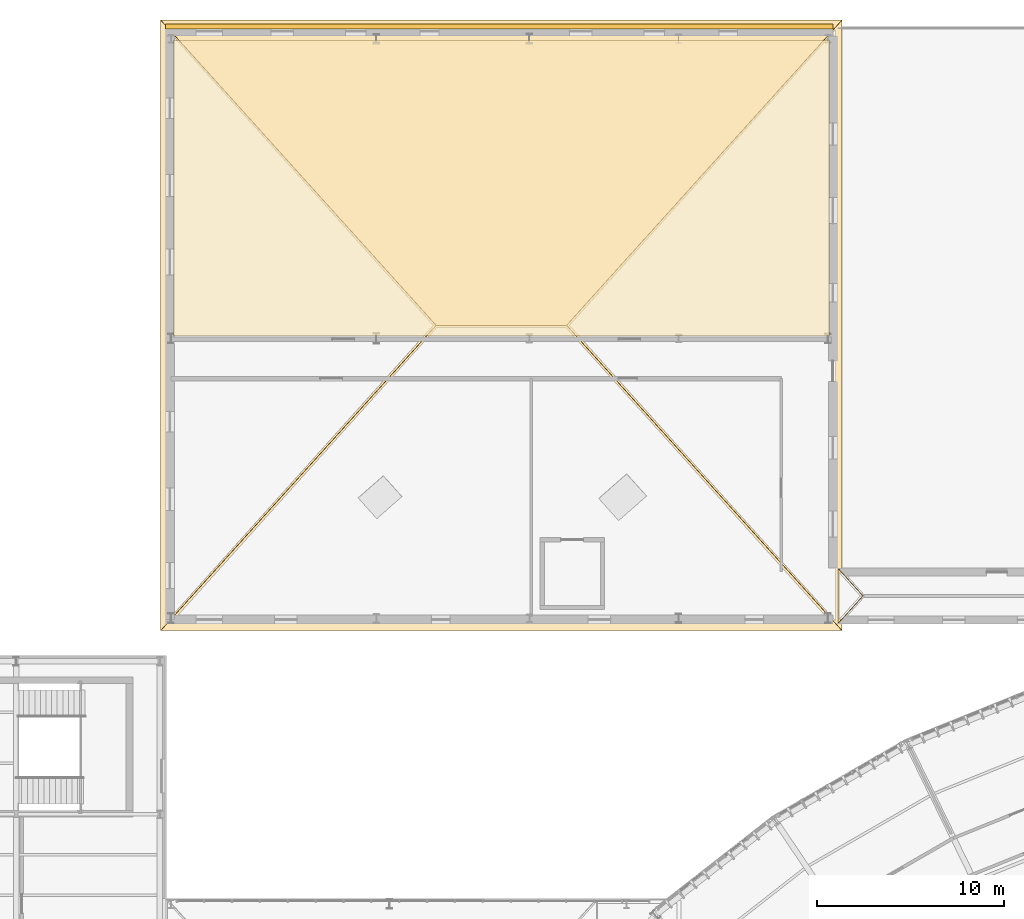
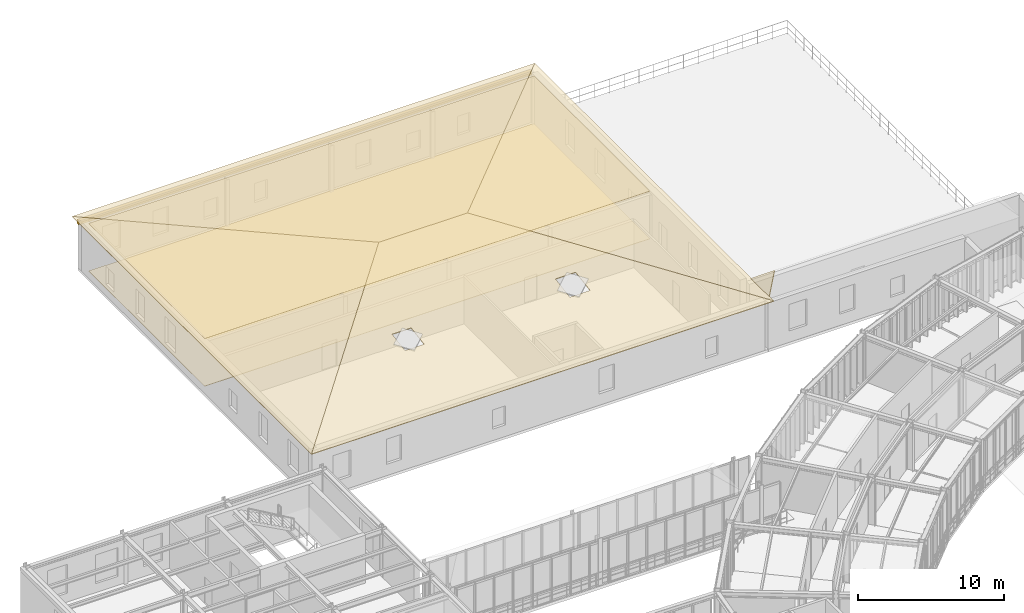
# One storey, part 55 of 57: 8 coverings, 2 openings.
"""IFC4 building model written with IfcOpenShell, lengths in metres."""

import ifcopenshell
import ifcopenshell.guid

model = None  # the IFC model being written
_history = None  # IfcOwnerHistory: only IFC2X3 demands one
_inside = {}  # id of a spatial element -> (the spatial element, [elements in it])
_under = {}  # id of a project, library or spatial element -> (it, [spatial elements below it])
_declared = {}  # id of a project -> (the project, [libraries it declares])
_typed = {}  # id of a type object -> (the type object, [elements of that type])
_made_of = {}  # id of a material, layer set ... -> (it, [elements and type objects made of it])


def new_model(schema):
    """Start an empty IFC model of exactly this schema.

    Asked for "IFC4X3", IfcOpenShell would pick the latest addendum, in which some entities
    have other attributes; the version numbers below select the first issue.
    IFC2X3 requires an IfcOwnerHistory on every rooted entity: one is made here for all.
    """
    global model, _history
    if schema == "IFC4X3":
        model = ifcopenshell.file(schema_version=(4, 3, 0, 0))
    else:
        model = ifcopenshell.file(schema=schema)
    _inside.clear()
    _under.clear()
    _declared.clear()
    _typed.clear()
    _made_of.clear()
    _history = None
    if model.schema == "IFC2X3":
        org = make("IfcOrganization", Name="unknown")
        user = make(
            "IfcPersonAndOrganization",
            ThePerson=make("IfcPerson", FamilyName="unknown"),
            TheOrganization=org,
        )
        app = make(
            "IfcApplication",
            ApplicationDeveloper=org,
            Version="unknown",
            ApplicationFullName="unknown",
            ApplicationIdentifier="unknown",
        )
        _history = make(
            "IfcOwnerHistory",
            OwningUser=user,
            OwningApplication=app,
            ChangeAction="ADDED",
            CreationDate=0,
        )
    return model


def make(cls, **values):
    """One entity of the class cls with the attributes given. An attribute that is None is left unset."""
    return model.create_entity(
        cls, **{name: value for name, value in values.items() if value is not None}
    )


def rooted(cls, **values):
    """An entity with a GlobalId (a new one), such as an element, a storey or a relation."""
    return make(cls, GlobalId=ifcopenshell.guid.new(), OwnerHistory=_history, **values)


def si_unit(unit_type, name, prefix=None):
    """IfcSIUnit, for example si_unit("LENGTHUNIT", "METRE", prefix="MILLI")."""
    return make("IfcSIUnit", UnitType=unit_type, Prefix=prefix, Name=name)


def assignment(units):
    """IfcUnitAssignment: the units of a project."""
    return None if units is None else make("IfcUnitAssignment", Units=units)


def point(xyz):
    """IfcCartesianPoint."""
    return None if xyz is None else make("IfcCartesianPoint", Coordinates=xyz)


def direction(xyz):
    """IfcDirection."""
    return None if xyz is None else make("IfcDirection", DirectionRatios=xyz)


def frame(location, z_axis=None, x_axis=None):
    """IfcAxis2Placement3D, a coordinate frame: its origin and axes. An axis left out is left unset."""
    return make(
        "IfcAxis2Placement3D",
        Location=point(location),
        Axis=direction(z_axis),
        RefDirection=direction(x_axis),
    )


def frame_2d(location, x_axis=None):
    """IfcAxis2Placement2D, a coordinate frame in the plane: its origin and x axis."""
    return make(
        "IfcAxis2Placement2D", Location=point(location), RefDirection=direction(x_axis)
    )


def origin():
    """The frame at (0, 0, 0) with its axes left unset."""
    return frame((0.0, 0.0, 0.0))


def origin_2d():
    """The frame at (0, 0) in the plane with its x axis left unset."""
    return frame_2d((0.0, 0.0))


def place(relative_to, where):
    """IfcLocalPlacement: puts the frame where relative to a parent placement (None: the world)."""
    return make(
        "IfcLocalPlacement", PlacementRelTo=relative_to, RelativePlacement=where
    )


def context(
    kind, dimensions, precision=None, world=None, true_north=None, identifier=None
):
    """IfcGeometricRepresentationContext, for example the 3D "Model" context."""
    return make(
        "IfcGeometricRepresentationContext",
        ContextIdentifier=identifier,
        ContextType=kind,
        CoordinateSpaceDimension=dimensions,
        Precision=precision,
        WorldCoordinateSystem=world,
        TrueNorth=true_north,
    )


def subcontext(parent, identifier, kind, view, scale=None):
    """IfcGeometricRepresentationSubContext, for example "Body" below "Model"."""
    return make(
        "IfcGeometricRepresentationSubContext",
        ContextIdentifier=identifier,
        ContextType=kind,
        ParentContext=parent,
        TargetScale=scale,
        TargetView=view,
    )


def project(units=None, contexts=None):
    """IfcProject with its units and contexts."""
    return rooted(
        "IfcProject",
        Name="project",
        RepresentationContexts=contexts,
        UnitsInContext=assignment(units),
    )


def spatial(cls, under=None, at=None, **own):
    """A site, building, storey or space (cls), placed at a placement, below another one or the project."""
    s = rooted(cls, ObjectPlacement=at, **own)
    if under is not None:
        _under.setdefault(under.id(), (under, []))[1].append(s)
    return s


def polyline(points):
    """IfcPolyline through the points."""
    return make("IfcPolyline", Points=[point(p) for p in points])


def profile(cls, at=None, kind="AREA", **sizes):
    """A parametric profile (cls). Its sizes go by their IFC names, for example OverallWidth=200.0."""
    return make(cls, ProfileType=kind, Position=at, **sizes)


def rectangle(**sizes):
    """IfcRectangleProfileDef."""
    return profile("IfcRectangleProfileDef", **sizes)


def outline(outer, holes=None, kind="AREA"):
    """IfcArbitraryClosedProfileDef: a profile drawn as a closed curve; with holes, ...WithVoids."""
    if holes is None:
        return make("IfcArbitraryClosedProfileDef", ProfileType=kind, OuterCurve=outer)
    return make(
        "IfcArbitraryProfileDefWithVoids",
        ProfileType=kind,
        OuterCurve=outer,
        InnerCurves=holes,
    )


def extrude(swept, where, along, depth):
    """IfcExtrudedAreaSolid: the profile swept, set in the frame where, extruded along a direction by depth."""
    return make(
        "IfcExtrudedAreaSolid",
        SweptArea=swept,
        Position=where,
        ExtrudedDirection=direction(along),
        Depth=depth,
    )


def shape(context_of_items, identifier, shape_type, items):
    """IfcShapeRepresentation: the items that make up one representation, for example the "Body"."""
    return make(
        "IfcShapeRepresentation",
        ContextOfItems=context_of_items,
        RepresentationIdentifier=identifier,
        RepresentationType=shape_type,
        Items=items,
    )


def material(Name=None, Category=None):
    """IfcMaterial."""
    return make("IfcMaterial", Name=Name, Category=Category)


def layer(
    of_material, thickness, ventilated=None, Name=None, Category=None, Priority=None
):
    """IfcMaterialLayer: one layer of a wall or slab, of a material (None: an air gap)."""
    return make(
        "IfcMaterialLayer",
        Material=of_material,
        LayerThickness=thickness,
        IsVentilated=ventilated,
        Name=Name,
        Category=Category,
        Priority=Priority,
    )


def layer_set(layers, Name=None):
    """IfcMaterialLayerSet."""
    return make("IfcMaterialLayerSet", MaterialLayers=layers, LayerSetName=Name)


def made_of(thing, what):
    """Note that an element or type object is made of a material, layer set ...; save() writes the relation."""
    if what is not None:
        _made_of.setdefault(what.id(), (what, []))[1].append(thing)
    return thing


def type_object(cls, material=None, **own):
    """A type object (cls), such as IfcWallType, which elements share."""
    return made_of(rooted(cls, **own), material)


def element(
    cls,
    number,
    at=None,
    inside=None,
    cuts=None,
    type_object=None,
    material=None,
    context=None,
    identifier="Body",
    shape_type=None,
    held_by="IfcProductDefinitionShape",
    body=None,
    shapes=None,
    **own,
):
    """One element of the class cls, such as IfcWall. Its Tag is "e" and its number.

    at: its placement. inside: the storey or other place that contains it. cuts: it is an
    opening in that element (IfcRelVoidsElement). A single representation is given by context,
    identifier, shape_type and body (its items); several are given by shapes. held_by: the class
    of the entity that holds the representations. save() writes the other relations.
    """
    e = rooted(cls, Tag="e%d" % number, ObjectPlacement=at, **own)
    if body is not None:
        shapes = [shape(context, identifier, shape_type, body)]
    if shapes is not None:
        e.Representation = make(held_by, Representations=shapes)
    if inside is not None:
        _inside.setdefault(inside.id(), (inside, []))[1].append(e)
    if cuts is not None:
        rooted(
            "IfcRelVoidsElement", RelatingBuildingElement=cuts, RelatedOpeningElement=e
        )
    if type_object is not None:
        _typed.setdefault(type_object.id(), (type_object, []))[1].append(e)
    return made_of(e, material)


def aggregate(whole, parts):
    """IfcRelAggregates: a whole, such as a stair, and the parts it consists of."""
    return rooted("IfcRelAggregates", RelatingObject=whole, RelatedObjects=parts)


def save(model, path):
    """Write the relations noted so far, then the file.

    IfcRelAggregates (storeys below a building ...), IfcRelContainedInSpatialStructure (elements
    in a storey), IfcRelDefinesByType, IfcRelAssociatesMaterial and IfcRelDeclares: one each for
    every whole, place, type object, material and project.
    """
    for whole, parts in _under.values():
        aggregate(whole, parts)
    for where, things in _inside.values():
        rooted(
            "IfcRelContainedInSpatialStructure",
            RelatedElements=things,
            RelatingStructure=where,
        )
    for kind, things in _typed.values():
        rooted("IfcRelDefinesByType", RelatedObjects=things, RelatingType=kind)
    for what, things in _made_of.values():
        rooted("IfcRelAssociatesMaterial", RelatedObjects=things, RelatingMaterial=what)
    for by, libraries in _declared.values():
        rooted("IfcRelDeclares", RelatingContext=by, RelatedDefinitions=libraries)
    model.write(path)


model = new_model("IFC4")

# Units and contexts
model_context = context("Model", 3, precision=1e-05, world=origin(), true_north=direction((0.0, 1.0)))
body_context = subcontext(model_context, "Body", "Model", "MODEL_VIEW")
ifc_project = project(units=[si_unit("LENGTHUNIT", "METRE"), si_unit("AREAUNIT", "SQUARE_METRE"), si_unit("VOLUMEUNIT", "CUBIC_METRE"), si_unit("PLANEANGLEUNIT", "RADIAN"), si_unit("MASSUNIT", "GRAM", prefix="KILO"), si_unit("THERMODYNAMICTEMPERATUREUNIT", "KELVIN"), si_unit("POWERUNIT", "WATT")], contexts=[model_context])

# Site, building, storey
site_placement = place(None, origin())
site = spatial("IfcSite", under=ifc_project, at=site_placement, CompositionType="ELEMENT")
building_placement = place(site_placement, origin())
building = spatial("IfcBuilding", under=site, at=building_placement, Name="Solvatero Civic Police Headquarters", CompositionType="ELEMENT")
storey_placement = place(building_placement, frame((0.0, 0.0, 9.300048828125)))
storey = spatial("IfcBuildingStorey", under=building, at=storey_placement, Name="L02", CompositionType="ELEMENT", Elevation=9.300048828125)

# Coverings
ifc_material_1 = material(Name="Mineral-Fibre Acoustic Tile", Category="gypsum")
ifc_layer_1 = layer(ifc_material_1, 0.02490234375)
ifc_layer_set_1 = layer_set([ifc_layer_1], Name="Mineral-Fibre Acoustic Tile")
covering_type_1 = type_object("IfcCoveringType", Name="COV-CEIL-AC", PredefinedType="CEILING", material=ifc_layer_set_1)
covering_1_placement = place(storey_placement, frame((0.0, 0.0, 3.974853515625)))
element("IfcCovering", 1, at=covering_1_placement, inside=storey, type_object=covering_type_1, Name="Acoustic Ceiling Detention Records and Escort Scheduling Office", PredefinedType="CEILING", context=body_context, shape_type="SweptSolid", body=[
    extrude(outline(polyline([(28.919921875, 100.6201171875), (28.919921875, 116.47998046875), (64.080078125, 116.47998046875), (64.080078125, 100.6201171875), (28.919921875, 100.6201171875)])), origin(), (0.0, 0.0, 1.0), 0.025146484375),
])
ifc_material_2 = material(Name="Venetian Terrazzo Stone", Category="masonry")
ifc_layer_2 = layer(ifc_material_2, 0.034912109375)
ifc_layer_set_2 = layer_set([ifc_layer_2], Name="Venetian Terrazzo Stone")
covering_type_2 = type_object("IfcCoveringType", Name="COV-FLR-TER", PredefinedType="FLOORING", material=ifc_layer_set_2)
covering_2_placement = place(storey_placement, origin())
element("IfcCovering", 2, at=covering_2_placement, inside=storey, type_object=covering_type_2, Name="Flooring Detention Records and Escort Scheduling Office", PredefinedType="FLOORING", context=body_context, shape_type="SweptSolid", body=[
    extrude(outline(polyline([(28.919921875, 100.6201171875), (28.919921875, 116.47998046875), (64.080078125, 116.47998046875), (64.080078125, 100.6201171875), (28.919921875, 100.6201171875)])), origin(), (0.0, 0.0, 1.0), 0.034912109375),
])

# Covering, openings
ifc_material_3 = material(Name="Lombard Terracotta Clay Tile", Category="masonry")
ifc_layer_3 = layer(ifc_material_3, 0.06005859375)
ifc_layer_set_3 = layer_set([ifc_layer_3], Name="Lombard Terracotta Clay Tile")
covering_type_3 = type_object("IfcCoveringType", Name="COV-RF-TILE", PredefinedType="ROOFING", material=ifc_layer_set_3)
covering_3_placement = place(storey_placement, frame((28.239990234375, 84.840087890625, 4.169921875), z_axis=(0.0, -0.156372041111, 0.987698225552), x_axis=(1.0, 0.0, 0.0)))
covering_3 = element("IfcCovering", 3, at=covering_3_placement, inside=storey, type_object=covering_type_3, Name="CUSW Lombard Terracotta Hipped Roof Covering S", PredefinedType="ROOFING", context=body_context, shape_type="SweptSolid", body=[
    extrude(outline(polyline([(0.0, 0.0), (36.52001953125, 0.0), (21.760009765625, 16.5636252632796), (14.760009765625, 16.5636252632796), (0.0, 0.0)])), origin(), (0.0, 0.0, -1.0), 0.06005859375),
])
opening_1_placement = place(covering_3_placement, frame((11.760009765625, 7.2490234375, 0.0)))
element("IfcOpeningElement", 4, at=opening_1_placement, cuts=covering_3, Name="Opening SK-03 Cover", PredefinedType="OPENING", context=body_context, shape_type="SweptSolid", body=[
    extrude(rectangle(XDim=1.5, YDim=1.800048828125, at=origin_2d()), frame((0.0, 0.0, -0.18017578125)), (0.0, 0.0, 1.0), 0.300048828125),
])
opening_2_placement = place(covering_3_placement, frame((24.760009765625, 7.2490234375, 0.0)))
element("IfcOpeningElement", 5, at=opening_2_placement, cuts=covering_3, Name="Opening SK-04 Cover", PredefinedType="OPENING", context=body_context, shape_type="SweptSolid", body=[
    extrude(rectangle(XDim=1.60009765625, YDim=2.0, at=origin_2d()), frame((0.0, 0.0, -0.18017578125)), (0.0, 0.0, 1.0), 0.300048828125),
])

# Coverings
covering_4_placement = place(storey_placement, frame((64.760009765625, 117.56005859375, 4.169921875), z_axis=(0.0, 0.156369764642, 0.987698585959), x_axis=(-1.0, 0.0, 0.0)))
element("IfcCovering", 6, at=covering_4_placement, inside=storey, type_object=covering_type_3, Name="CUSW Lombard Terracotta Hipped Roof Covering N", PredefinedType="ROOFING", context=body_context, shape_type="SweptSolid", body=[
    extrude(outline(polyline([(0.0, 0.0), (36.52001953125, 0.0), (21.760009765625, 16.563866400585695), (14.760009765625, 16.563866400585695), (0.0, 0.0)])), origin(), (0.0, 0.0, -1.0), 0.06005859375),
])
covering_5_placement = place(storey_placement, frame((28.239990234375, 117.56005859375, 4.169921875), z_axis=(-0.17283912971, 0.0, 0.984950067385), x_axis=(0.0, -1.0, 0.0)))
element("IfcCovering", 7, at=covering_5_placement, inside=storey, type_object=covering_type_3, Name="CUSW Lombard Terracotta Hipped Roof Covering W", PredefinedType="ROOFING", context=body_context, shape_type="SweptSolid", body=[
    extrude(outline(polyline([(0.0, 0.0), (32.719970703125, 0.0), (16.360107421875, 14.985541150138944), (0.0, 0.0)])), origin(), (0.0, 0.0, -1.0), 0.06005859375),
])
covering_6_placement = place(storey_placement, frame((64.760009765625, 84.840087890625, 4.169921875), z_axis=(0.17283912971, 0.0, 0.984950067385), x_axis=(0.0, 1.0, 0.0)))
element("IfcCovering", 8, at=covering_6_placement, inside=storey, type_object=covering_type_3, Name="CUSW Lombard Terracotta Hipped Roof Covering E", PredefinedType="ROOFING", context=body_context, shape_type="SweptSolid", body=[
    extrude(outline(polyline([(0.0, 0.0), (32.719970703125, 0.0), (16.35986328125, 14.985541150138944), (0.0, 0.0)])), origin(), (0.0, 0.0, -1.0), 0.06005859375),
])
covering_7_placement = place(storey_placement, frame((64.550048828125, 88.14990234375, 4.030029296875), z_axis=(-0.669240101649, 0.0, 0.743046220867), x_axis=(0.0, -1.0, 0.0)))
element("IfcCovering", 9, at=covering_7_placement, inside=storey, type_object=covering_type_3, Name="V7CORR Lombard Terracotta Hipped Roof Covering W", PredefinedType="ROOFING", context=body_context, shape_type="SweptSolid", body=[
    extrude(outline(polyline([(0.0, 0.0), (2.89990234375, 0.0), (1.449951171875, 1.7630916583111134), (0.0, 0.0)])), origin(), (0.0, 0.0, -1.0), 0.06005859375),
])
ifc_material_4 = material(Name="Cream Limestone Ashlar", Category="masonry")
ifc_layer_4 = layer(ifc_material_4, 0.10009765625)
ifc_layer_set_4 = layer_set([ifc_layer_4], Name="Cream Limestone Ashlar")
covering_type_4 = type_object("IfcCoveringType", Name="COV-TRIM-STONE", PredefinedType="CLADDING", material=ifc_layer_set_4)
covering_8_placement = place(storey_placement, frame((46.3798828125, 117.219970703125, 3.64013671875), z_axis=(0.0, 0.0, 1.0), x_axis=(1.0, 0.0, 0.0)))
element("IfcCovering", 10, at=covering_8_placement, inside=storey, type_object=covering_type_4, Name="Classical Limestone Trim TRIM-V7-L02-N", PredefinedType="CLADDING", context=body_context, shape_type="SweptSolid", body=[
    extrude(rectangle(XDim=35.760009765625, YDim=0.260009765625, at=origin_2d()), origin(), (0.0, 0.0, 1.0), 0.320068359375),
])

save(model, "model.ifc")
